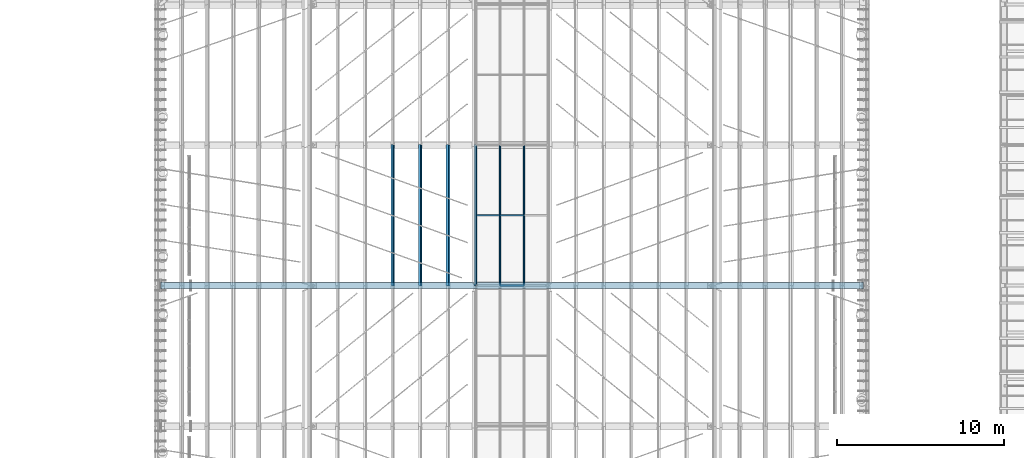
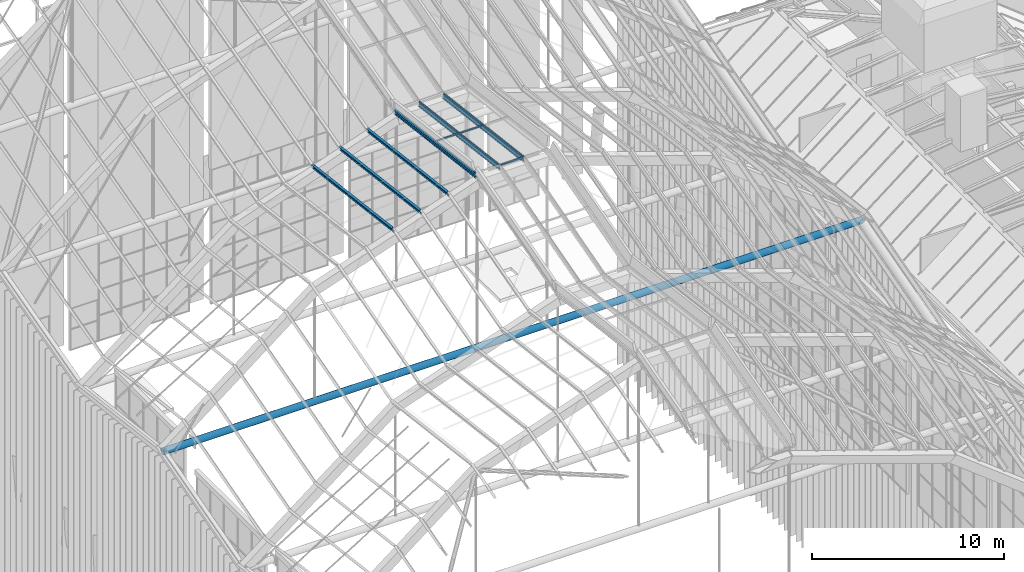
# One storey, part 28 of 126: 13 members.
"""IFC4 building model written with IfcOpenShell, lengths in metres."""

from ifc_helpers import new_model, si_unit, direction, frame, origin, origin_2d, place, context, subcontext, project, spatial, rectangle, hollow_circle, i_section, extrude, material, material_profile, profile_set, type_object, element, save


model = new_model("IFC4")

# Units and contexts
model_context = context("Model", 3, precision=1e-05, world=origin(), true_north=direction((0.0, 1.0)))
body_context = subcontext(model_context, "Body", "Model", "MODEL_VIEW")
ifc_project = project(units=[si_unit("LENGTHUNIT", "METRE"), si_unit("AREAUNIT", "SQUARE_METRE"), si_unit("VOLUMEUNIT", "CUBIC_METRE"), si_unit("PLANEANGLEUNIT", "RADIAN"), si_unit("MASSUNIT", "GRAM", prefix="KILO")], contexts=[model_context])

# Site, building, storey
site_placement = place(None, origin())
site = spatial("IfcSite", under=ifc_project, at=site_placement, CompositionType="ELEMENT")
building_placement = place(site_placement, origin())
building = spatial("IfcBuilding", under=site, at=building_placement, Name="Sava Quay Ferry Terminal", CompositionType="ELEMENT")
storey_placement = place(building_placement, frame((0.0, 0.0, 15.0)))
storey = spatial("IfcBuildingStorey", under=building, at=storey_placement, Name="L03", CompositionType="ELEMENT", Elevation=15.0)

# Members
ifc_material_1 = material(Name="Steel S355", Category="steel")
ifc_material_profile_1 = material_profile(ifc_material_1, hollow_circle(Radius=0.203125, WallThickness=0.01611328125, at=origin_2d()), Name="CHS 406.4 x 16.0")
ifc_profile_set_1 = profile_set([ifc_material_profile_1], Name="Steel S355")
member_type_1 = type_object("IfcMemberType", Name="D arch tie CHS 406.4x16", PredefinedType="USERDEFINED", material=ifc_profile_set_1)
member_1_placement = place(storey_placement, frame((42.0, 75.60009765625, 12.071044921875), z_axis=(1.0, 0.0, 0.0), x_axis=(0.0, 1.0, 0.0)))
element("IfcMember", 1, at=member_1_placement, inside=storey, type_object=member_type_1, Name="Departure hall arch tie R3", ObjectType="ARCH TIE", PredefinedType="USERDEFINED", context=body_context, shape_type="SweptSolid", body=[
    extrude(hollow_circle(Radius=0.203125, WallThickness=0.01611328125, at=origin_2d()), origin(), (0.0, 0.0, 1.0), 42.0),
])
ifc_material_2 = material(Name="Aluminium EN AW-6063 T6", Category="aluminium")
ifc_material_profile_2 = material_profile(ifc_material_2, rectangle(XDim=0.06005859375, YDim=0.06005859375, at=origin_2d()), Name="Bar 60 x 60")
ifc_profile_set_2 = profile_set([ifc_material_profile_2], Name="Aluminium EN AW-6063 T6")
member_type_2 = type_object("IfcMemberType", Name="Glazing bar 60x60", PredefinedType="USERDEFINED", material=ifc_profile_set_2)
for number, where, z_axis, x_axis, name in (
    (2, (60.850341796875, 75.60009765625, 23.1728515625), (0.0, 0.992393702798, -0.123104584187), (-1.0, 0.0, 0.0), "Departure hall glazing bar D-B3-GL2.0"),
    (3, (62.266845703125, 75.60009765625, 23.1728515625), (0.0, 0.992393702798, -0.123104584187), (-1.0, 0.0, 0.0), "Departure hall glazing bar D-B3-GL2.1"),
    (4, (63.733154296875, 75.60009765625, 23.1728515625), (0.0, 0.992393702798, -0.123104584187), (-1.0, 0.0, 0.0), "Departure hall glazing bar D-B3-GL2.2"),
):
    element("IfcMember", number, at=place(storey_placement, frame(where, z_axis=z_axis, x_axis=x_axis)), inside=storey, type_object=member_type_2, Name=name, ObjectType="GLAZING BAR", PredefinedType="USERDEFINED", context=body_context, shape_type="SweptSolid", body=[
        extrude(rectangle(XDim=0.06005859375, YDim=0.06005859375, at=origin_2d()), origin(), (0.0, 0.0, 1.0), 8.46435546875),
    ])
member_2_placement = place(storey_placement, frame((62.296630859375, 75.60009765625, 23.170166015625), z_axis=(1.0, 0.0, 0.0), x_axis=(0.0, 0.992393764882, -0.123104083697)))
element("IfcMember", 5, at=member_2_placement, inside=storey, type_object=member_type_2, Name="Departure hall glazing bar D-R3-GT2.1", ObjectType="GLAZING BAR", PredefinedType="USERDEFINED", context=body_context, shape_type="SweptSolid", body=[
    extrude(rectangle(XDim=0.06005859375, YDim=0.06005859375, at=origin_2d()), origin(), (0.0, 0.0, 1.0), 1.40673828125),
])
member_3_placement = place(storey_placement, frame((60.88037109375, 79.800048828125, 22.65185546875), z_axis=(1.0, 0.0, 0.0), x_axis=(0.0, 0.992393764882, -0.123104083697)))
element("IfcMember", 6, at=member_3_placement, inside=storey, type_object=member_type_2, Name="Departure hall glazing bar D-B3M-GT2.0", ObjectType="GLAZING BAR", PredefinedType="USERDEFINED", context=body_context, shape_type="SweptSolid", body=[
    extrude(rectangle(XDim=0.06005859375, YDim=0.06005859375, at=origin_2d()), origin(), (0.0, 0.0, 1.0), 1.3564453125),
])
member_4_placement = place(storey_placement, frame((62.296875, 79.800048828125, 22.65185546875), z_axis=(1.0, 0.0, 0.0), x_axis=(0.0, 0.992393764882, -0.123104083697)))
element("IfcMember", 7, at=member_4_placement, inside=storey, type_object=member_type_2, Name="Departure hall glazing bar D-B3M-GT2.1", ObjectType="GLAZING BAR", PredefinedType="USERDEFINED", context=body_context, shape_type="SweptSolid", body=[
    extrude(rectangle(XDim=0.06005859375, YDim=0.06005859375, at=origin_2d()), origin(), (0.0, 0.0, 1.0), 1.40625),
])
ifc_material_3 = material(Name="Steel S355", Category="steel")
ifc_material_profile_3 = material_profile(ifc_material_3, i_section(OverallWidth=0.135009765625, OverallDepth=0.27001953125, WebThickness=0.006591796875, FlangeThickness=0.01025390625, at=origin_2d()), Name="IPE 270")
ifc_profile_set_3 = profile_set([ifc_material_profile_3], Name="Steel S355")
member_type_3 = type_object("IfcMemberType", Name="Roof purlin IPE 270", PredefinedType="PURLIN", material=ifc_profile_set_3)
for number, where, z_axis, x_axis, name in (
    (8, (55.874267578125, 75.60009765625, 21.301025390625), (0.0, 0.992393702798, -0.123104584187), (-0.946278888601, -0.039806065742, -0.320892103546), "Departure hall purlin bay 4 M1.3"),
    (9, (57.525390625, 75.60009765625, 21.869384765625), (0.0, 0.992393702798, -0.123104584187), (-0.946278888601, -0.039806065742, -0.320892103546), "Departure hall purlin bay 4 M1.4"),
    (10, (59.176513671875, 75.60009765625, 22.43798828125), (0.0, 0.992393702798, -0.123104584187), (-0.946278888601, -0.039806065742, -0.320892103546), "Departure hall purlin bay 4 M1.5"),
    (11, (60.82763671875, 75.60009765625, 23.006591796875), (0.0, 0.992393702798, -0.123104584187), (-0.986478304019, -0.020175844507, -0.162645291964), "Departure hall purlin bay 4 V2"),
    (12, (62.27587890625, 75.60009765625, 23.006591796875), (0.0, 0.992393702798, -0.123104584187), (-1.0, 0.0, 0.0), "Departure hall purlin bay 4 M2.1"),
    (13, (63.72412109375, 75.60009765625, 23.006591796875), (0.0, 0.992393702798, -0.123104584187), (-1.0, 0.0, 0.0), "Departure hall purlin bay 4 M2.2"),
):
    element("IfcMember", number, at=place(storey_placement, frame(where, z_axis=z_axis, x_axis=x_axis)), inside=storey, type_object=member_type_3, Name=name, PredefinedType="PURLIN", context=body_context, shape_type="SweptSolid", body=[
        extrude(i_section(OverallWidth=0.135009765625, OverallDepth=0.27001953125, WebThickness=0.006591796875, FlangeThickness=0.01025390625, at=origin_2d()), origin(), (0.0, 0.0, 1.0), 8.46435546875),
    ])

save(model, "model.ifc")
